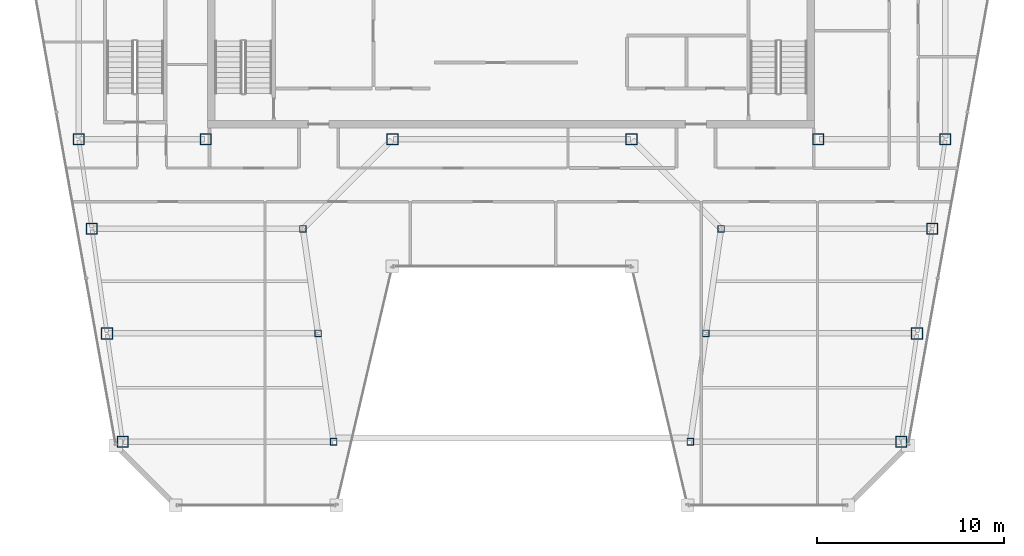
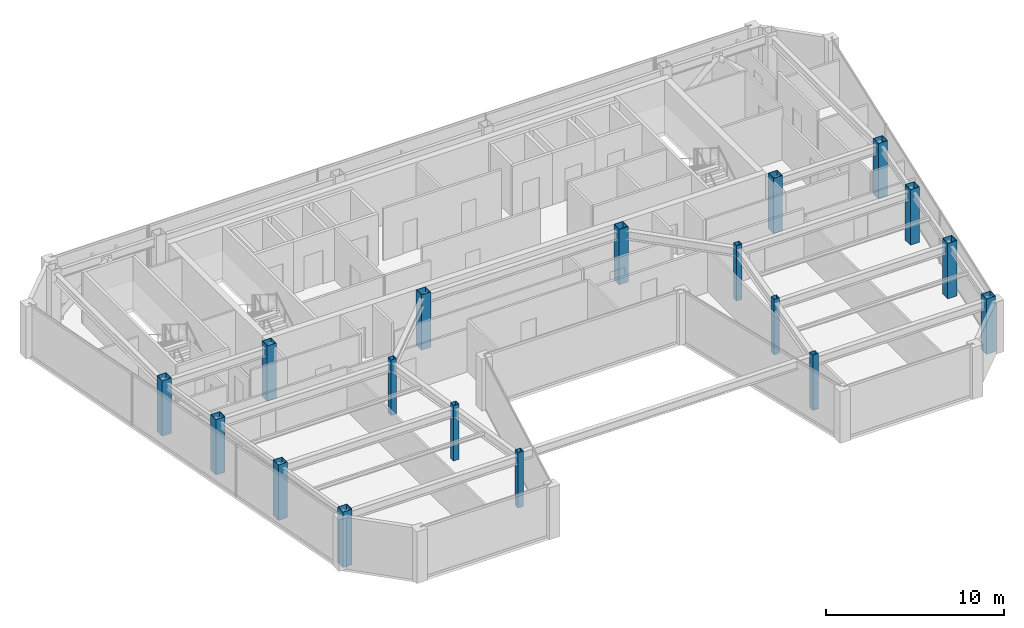
# One storey, part 1 of 32: 18 columns.
"""IFC4 building model written with IfcOpenShell, lengths in metres."""

from ifc_helpers import new_model, si_unit, direction, frame, origin, origin_2d, place, context, subcontext, project, spatial, hollow_rectangle, extrude, material, material_profile, profile_set, type_object, element, save


model = new_model("IFC4")

# Units and contexts
model_context = context("Model", 3, precision=1e-05, world=origin(), true_north=direction((0.0, 1.0)))
body_context = subcontext(model_context, "Body", "Model", "MODEL_VIEW")
ifc_project = project(units=[si_unit("LENGTHUNIT", "METRE"), si_unit("AREAUNIT", "SQUARE_METRE"), si_unit("VOLUMEUNIT", "CUBIC_METRE"), si_unit("PLANEANGLEUNIT", "RADIAN"), si_unit("MASSUNIT", "GRAM", prefix="KILO")], contexts=[model_context])

# Site, building, storey
site_placement = place(None, origin())
site = spatial("IfcSite", under=ifc_project, at=site_placement, CompositionType="ELEMENT")
building_placement = place(site_placement, origin())
building = spatial("IfcBuilding", under=site, at=building_placement, Name="Saevonmaru Cultural Tower", CompositionType="ELEMENT")
storey_placement = place(building_placement, frame((0.0, 0.0, 261.0)))
storey = spatial("IfcBuildingStorey", under=building, at=storey_placement, Name="L61", CompositionType="ELEMENT", Elevation=261.0)

# Columns
ifc_material = material(Name="Steel SM355", Category="steel")
ifc_material_profile_1 = material_profile(ifc_material, hollow_rectangle(XDim=0.60009765625, YDim=0.60009765625, WallThickness=0.028076171875, at=origin_2d()), Name="BOX-600x600x28")
ifc_profile_set_1 = profile_set([ifc_material_profile_1], Name="Steel SM355")
column_type_1 = type_object("IfcColumnType", Name="COL-BOX-600", PredefinedType="COLUMN", material=ifc_profile_set_1)
for number, where, z_axis, x_axis, name in (
    (1, (6.800048828125, 42.39990234375, 0.0), (0.0, 0.0, 1.0), (1.0, 0.0, 0.0), "L61 Column TC-S1C"),
    (2, (13.60009765625, 42.39990234375, 0.0), (0.0, 0.0, 1.0), (1.0, 0.0, 0.0), "L61 Column TC-S2C"),
    (3, (23.60009765625, 42.39990234375, 0.0), (0.0, 0.0, 1.0), (1.0, 0.0, 0.0), "L61 Column TC-S3C"),
    (4, (36.39990234375, 42.39990234375, 0.0), (0.0, 0.0, 1.0), (1.0, 0.0, 0.0), "L61 Column TC-S4C"),
    (5, (46.39990234375, 42.39990234375, 0.0), (0.0, 0.0, 1.0), (1.0, 0.0, 0.0), "L61 Column TC-S5C"),
    (6, (53.199951171875, 42.39990234375, 0.0), (0.0, 0.0, 1.0), (1.0, 0.0, 0.0), "L61 Column TC-S6C"),
    (7, (9.154052734375, 26.199951171875, 0.0), (0.0, 0.0, 1.0), (1.0, 0.0, 0.0), "L61 Column TC-WO-Y262"),
    (8, (50.845947265625, 26.199951171875, 0.0), (0.0, 0.0, 1.0), (1.0, 0.0, 0.0), "L61 Column TC-EO-Y262"),
    (9, (8.31689453125, 32.0, 0.0), (0.0, 0.0, 1.0), (1.0, 0.0, 0.0), "L61 Column TC-WO-Y320"),
    (10, (51.68310546875, 32.0, 0.0), (0.0, 0.0, 1.0), (1.0, 0.0, 0.0), "L61 Column TC-EO-Y320"),
    (11, (7.508056640625, 37.60009765625, 0.0), (0.0, 0.0, 1.0), (1.0, 0.0, 0.0), "L61 Column TC-WO-Y376"),
    (12, (52.491943359375, 37.60009765625, 0.0), (0.0, 0.0, 1.0), (1.0, 0.0, 0.0), "L61 Column TC-EO-Y376"),
):
    element("IfcColumn", number, at=place(storey_placement, frame(where, z_axis=z_axis, x_axis=x_axis)), inside=storey, type_object=column_type_1, Name=name, PredefinedType="COLUMN", context=body_context, shape_type="SweptSolid", body=[
        extrude(hollow_rectangle(XDim=0.60009765625, YDim=0.60009765625, WallThickness=0.028076171875, at=origin_2d()), origin(), (0.0, 0.0, 1.0), 3.800048828125),
    ])
ifc_material_profile_2 = material_profile(ifc_material, hollow_rectangle(XDim=0.35009765625, YDim=0.35009765625, WallThickness=0.01611328125, at=origin_2d()), Name="SHS-350x350x16")
ifc_profile_set_2 = profile_set([ifc_material_profile_2], Name="Steel SM355")
column_type_2 = type_object("IfcColumnType", Name="COL-SHS-350", PredefinedType="COLUMN", material=ifc_profile_set_2)
for number, where, z_axis, x_axis, name in (
    (13, (20.4541015625, 26.199951171875, 0.0), (0.0, 0.0, 1.0), (1.0, 0.0, 0.0), "L61 Column TC-WI-Y262"),
    (14, (39.5458984375, 26.199951171875, 0.0), (0.0, 0.0, 1.0), (1.0, 0.0, 0.0), "L61 Column TC-EI-Y262"),
    (15, (19.616943359375, 32.0, 0.0), (0.0, 0.0, 1.0), (1.0, 0.0, 0.0), "L61 Column TC-WI-Y320"),
    (16, (40.383056640625, 32.0, 0.0), (0.0, 0.0, 1.0), (1.0, 0.0, 0.0), "L61 Column TC-EI-Y320"),
    (17, (18.80810546875, 37.60009765625, 0.0), (0.0, 0.0, 1.0), (1.0, 0.0, 0.0), "L61 Column TC-WI-Y376"),
    (18, (41.19189453125, 37.60009765625, 0.0), (0.0, 0.0, 1.0), (1.0, 0.0, 0.0), "L61 Column TC-EI-Y376"),
):
    element("IfcColumn", number, at=place(storey_placement, frame(where, z_axis=z_axis, x_axis=x_axis)), inside=storey, type_object=column_type_2, Name=name, PredefinedType="COLUMN", context=body_context, shape_type="SweptSolid", body=[
        extrude(hollow_rectangle(XDim=0.35009765625, YDim=0.35009765625, WallThickness=0.01611328125, at=origin_2d()), origin(), (0.0, 0.0, 1.0), 3.800048828125),
    ])

save(model, "model.ifc")
